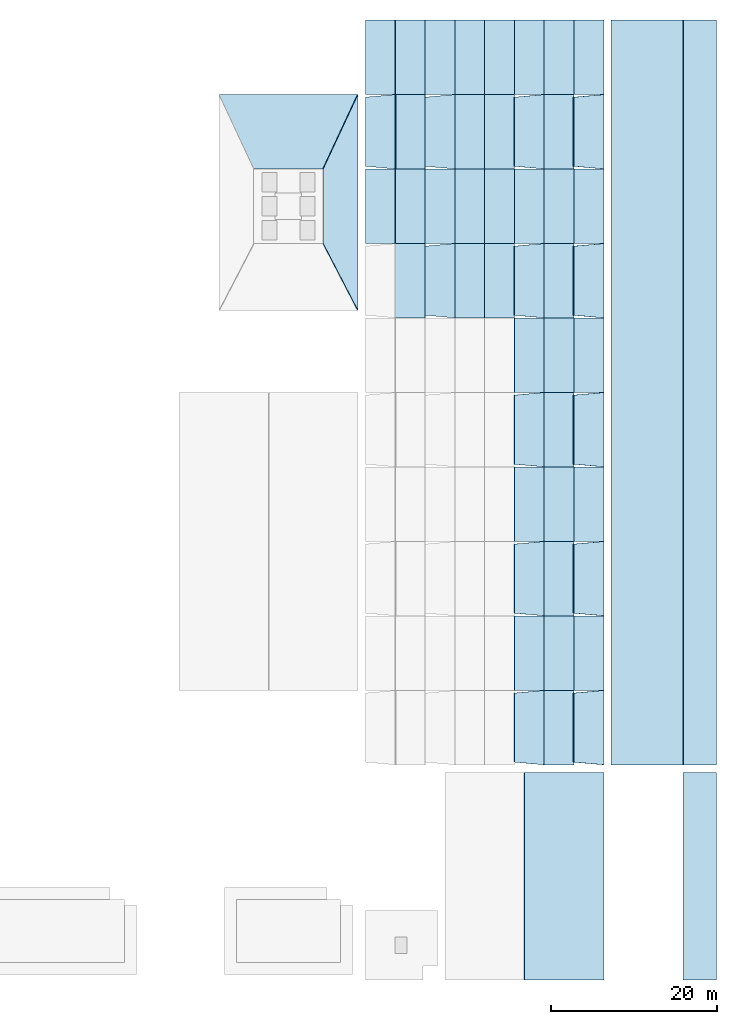
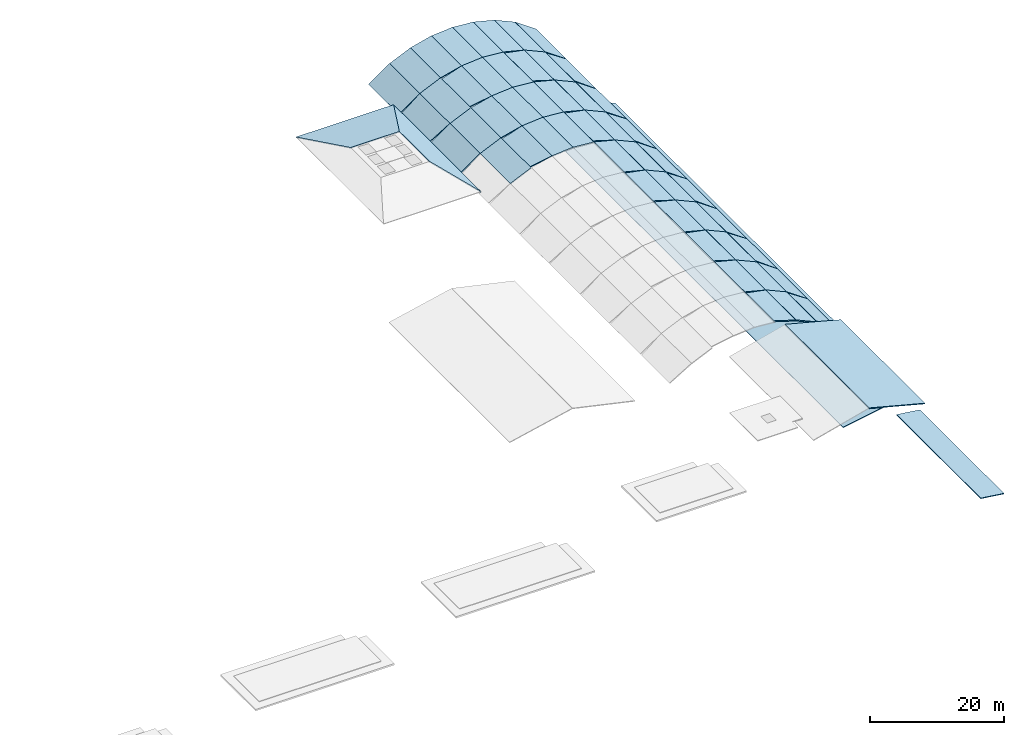
# One storey, part 2 of 3: 55 slabs, 4 elements without a shape of their own.
"""IFC4 building model written with IfcOpenShell, lengths in metres."""

import ifcopenshell
import ifcopenshell.guid

model = None  # the IFC model being written
_history = None  # IfcOwnerHistory: only IFC2X3 demands one
_inside = {}  # id of a spatial element -> (the spatial element, [elements in it])
_under = {}  # id of a project, library or spatial element -> (it, [spatial elements below it])
_declared = {}  # id of a project -> (the project, [libraries it declares])
_typed = {}  # id of a type object -> (the type object, [elements of that type])
_made_of = {}  # id of a material, layer set ... -> (it, [elements and type objects made of it])


def new_model(schema):
    """Start an empty IFC model of exactly this schema.

    Asked for "IFC4X3", IfcOpenShell would pick the latest addendum, in which some entities
    have other attributes; the version numbers below select the first issue.
    IFC2X3 requires an IfcOwnerHistory on every rooted entity: one is made here for all.
    """
    global model, _history
    if schema == "IFC4X3":
        model = ifcopenshell.file(schema_version=(4, 3, 0, 0))
    else:
        model = ifcopenshell.file(schema=schema)
    _inside.clear()
    _under.clear()
    _declared.clear()
    _typed.clear()
    _made_of.clear()
    _history = None
    if model.schema == "IFC2X3":
        org = make("IfcOrganization", Name="unknown")
        user = make(
            "IfcPersonAndOrganization",
            ThePerson=make("IfcPerson", FamilyName="unknown"),
            TheOrganization=org,
        )
        app = make(
            "IfcApplication",
            ApplicationDeveloper=org,
            Version="unknown",
            ApplicationFullName="unknown",
            ApplicationIdentifier="unknown",
        )
        _history = make(
            "IfcOwnerHistory",
            OwningUser=user,
            OwningApplication=app,
            ChangeAction="ADDED",
            CreationDate=0,
        )
    return model


def make(cls, **values):
    """One entity of the class cls with the attributes given. An attribute that is None is left unset."""
    return model.create_entity(
        cls, **{name: value for name, value in values.items() if value is not None}
    )


def rooted(cls, **values):
    """An entity with a GlobalId (a new one), such as an element, a storey or a relation."""
    return make(cls, GlobalId=ifcopenshell.guid.new(), OwnerHistory=_history, **values)


def si_unit(unit_type, name, prefix=None):
    """IfcSIUnit, for example si_unit("LENGTHUNIT", "METRE", prefix="MILLI")."""
    return make("IfcSIUnit", UnitType=unit_type, Prefix=prefix, Name=name)


def assignment(units):
    """IfcUnitAssignment: the units of a project."""
    return None if units is None else make("IfcUnitAssignment", Units=units)


def point(xyz):
    """IfcCartesianPoint."""
    return None if xyz is None else make("IfcCartesianPoint", Coordinates=xyz)


def direction(xyz):
    """IfcDirection."""
    return None if xyz is None else make("IfcDirection", DirectionRatios=xyz)


def frame(location, z_axis=None, x_axis=None):
    """IfcAxis2Placement3D, a coordinate frame: its origin and axes. An axis left out is left unset."""
    return make(
        "IfcAxis2Placement3D",
        Location=point(location),
        Axis=direction(z_axis),
        RefDirection=direction(x_axis),
    )


def origin():
    """The frame at (0, 0, 0) with its axes left unset."""
    return frame((0.0, 0.0, 0.0))


def place(relative_to, where):
    """IfcLocalPlacement: puts the frame where relative to a parent placement (None: the world)."""
    return make(
        "IfcLocalPlacement", PlacementRelTo=relative_to, RelativePlacement=where
    )


def context(
    kind, dimensions, precision=None, world=None, true_north=None, identifier=None
):
    """IfcGeometricRepresentationContext, for example the 3D "Model" context."""
    return make(
        "IfcGeometricRepresentationContext",
        ContextIdentifier=identifier,
        ContextType=kind,
        CoordinateSpaceDimension=dimensions,
        Precision=precision,
        WorldCoordinateSystem=world,
        TrueNorth=true_north,
    )


def subcontext(parent, identifier, kind, view, scale=None):
    """IfcGeometricRepresentationSubContext, for example "Body" below "Model"."""
    return make(
        "IfcGeometricRepresentationSubContext",
        ContextIdentifier=identifier,
        ContextType=kind,
        ParentContext=parent,
        TargetScale=scale,
        TargetView=view,
    )


def project(units=None, contexts=None):
    """IfcProject with its units and contexts."""
    return rooted(
        "IfcProject",
        Name="project",
        RepresentationContexts=contexts,
        UnitsInContext=assignment(units),
    )


def spatial(cls, under=None, at=None, **own):
    """A site, building, storey or space (cls), placed at a placement, below another one or the project."""
    s = rooted(cls, ObjectPlacement=at, **own)
    if under is not None:
        _under.setdefault(under.id(), (under, []))[1].append(s)
    return s


def polyline(points):
    """IfcPolyline through the points."""
    return make("IfcPolyline", Points=[point(p) for p in points])


def outline(outer, holes=None, kind="AREA"):
    """IfcArbitraryClosedProfileDef: a profile drawn as a closed curve; with holes, ...WithVoids."""
    if holes is None:
        return make("IfcArbitraryClosedProfileDef", ProfileType=kind, OuterCurve=outer)
    return make(
        "IfcArbitraryProfileDefWithVoids",
        ProfileType=kind,
        OuterCurve=outer,
        InnerCurves=holes,
    )


def extrude(swept, where, along, depth):
    """IfcExtrudedAreaSolid: the profile swept, set in the frame where, extruded along a direction by depth."""
    return make(
        "IfcExtrudedAreaSolid",
        SweptArea=swept,
        Position=where,
        ExtrudedDirection=direction(along),
        Depth=depth,
    )


def shape(context_of_items, identifier, shape_type, items):
    """IfcShapeRepresentation: the items that make up one representation, for example the "Body"."""
    return make(
        "IfcShapeRepresentation",
        ContextOfItems=context_of_items,
        RepresentationIdentifier=identifier,
        RepresentationType=shape_type,
        Items=items,
    )


def material(Name=None, Category=None):
    """IfcMaterial."""
    return make("IfcMaterial", Name=Name, Category=Category)


def layer(
    of_material, thickness, ventilated=None, Name=None, Category=None, Priority=None
):
    """IfcMaterialLayer: one layer of a wall or slab, of a material (None: an air gap)."""
    return make(
        "IfcMaterialLayer",
        Material=of_material,
        LayerThickness=thickness,
        IsVentilated=ventilated,
        Name=Name,
        Category=Category,
        Priority=Priority,
    )


def layer_set(layers, Name=None):
    """IfcMaterialLayerSet."""
    return make("IfcMaterialLayerSet", MaterialLayers=layers, LayerSetName=Name)


def made_of(thing, what):
    """Note that an element or type object is made of a material, layer set ...; save() writes the relation."""
    if what is not None:
        _made_of.setdefault(what.id(), (what, []))[1].append(thing)
    return thing


def type_object(cls, material=None, **own):
    """A type object (cls), such as IfcWallType, which elements share."""
    return made_of(rooted(cls, **own), material)


def element(
    cls,
    number,
    at=None,
    inside=None,
    cuts=None,
    type_object=None,
    material=None,
    context=None,
    identifier="Body",
    shape_type=None,
    held_by="IfcProductDefinitionShape",
    body=None,
    shapes=None,
    **own,
):
    """One element of the class cls, such as IfcWall. Its Tag is "e" and its number.

    at: its placement. inside: the storey or other place that contains it. cuts: it is an
    opening in that element (IfcRelVoidsElement). A single representation is given by context,
    identifier, shape_type and body (its items); several are given by shapes. held_by: the class
    of the entity that holds the representations. save() writes the other relations.
    """
    e = rooted(cls, Tag="e%d" % number, ObjectPlacement=at, **own)
    if body is not None:
        shapes = [shape(context, identifier, shape_type, body)]
    if shapes is not None:
        e.Representation = make(held_by, Representations=shapes)
    if inside is not None:
        _inside.setdefault(inside.id(), (inside, []))[1].append(e)
    if cuts is not None:
        rooted(
            "IfcRelVoidsElement", RelatingBuildingElement=cuts, RelatedOpeningElement=e
        )
    if type_object is not None:
        _typed.setdefault(type_object.id(), (type_object, []))[1].append(e)
    return made_of(e, material)


def aggregate(whole, parts):
    """IfcRelAggregates: a whole, such as a stair, and the parts it consists of."""
    return rooted("IfcRelAggregates", RelatingObject=whole, RelatedObjects=parts)


def save(model, path):
    """Write the relations noted so far, then the file.

    IfcRelAggregates (storeys below a building ...), IfcRelContainedInSpatialStructure (elements
    in a storey), IfcRelDefinesByType, IfcRelAssociatesMaterial and IfcRelDeclares: one each for
    every whole, place, type object, material and project.
    """
    for whole, parts in _under.values():
        aggregate(whole, parts)
    for where, things in _inside.values():
        rooted(
            "IfcRelContainedInSpatialStructure",
            RelatedElements=things,
            RelatingStructure=where,
        )
    for kind, things in _typed.values():
        rooted("IfcRelDefinesByType", RelatedObjects=things, RelatingType=kind)
    for what, things in _made_of.values():
        rooted("IfcRelAssociatesMaterial", RelatedObjects=things, RelatingMaterial=what)
    for by, libraries in _declared.values():
        rooted("IfcRelDeclares", RelatingContext=by, RelatedDefinitions=libraries)
    model.write(path)


model = new_model("IFC4")

# Units and contexts
model_context = context("Model", 3, precision=1e-05, world=origin(), true_north=direction((0.0, 1.0)))
body_context = subcontext(model_context, "Body", "Model", "MODEL_VIEW")
ifc_project = project(units=[si_unit("LENGTHUNIT", "METRE"), si_unit("AREAUNIT", "SQUARE_METRE"), si_unit("VOLUMEUNIT", "CUBIC_METRE"), si_unit("PLANEANGLEUNIT", "RADIAN"), si_unit("MASSUNIT", "GRAM", prefix="KILO")], contexts=[model_context])

# Site, building, storey
site_placement = place(None, origin())
site = spatial("IfcSite", under=ifc_project, at=site_placement, CompositionType="ELEMENT")
building_placement = place(site_placement, origin())
building = spatial("IfcBuilding", under=site, at=building_placement, Name="Canglan Escarpment Cableway Terminal", CompositionType="ELEMENT")
storey_placement = place(building_placement, frame((0.0, 0.0, 33.60009765625)))
storey = spatial("IfcBuildingStorey", under=building, at=storey_placement, Name="RF", CompositionType="ELEMENT", Elevation=33.60009765625)

# Roof, slabs
ifc_material_1 = material(Name="Standing-seam zinc-titanium roofing", Category="steel")
roof_type_1 = type_object("IfcRoofType", Name="ROOF-GABLE-V3", PredefinedType="GABLE_ROOF", material=ifc_material_1)
roof_1_placement = place(storey_placement, origin())
roof_1 = element("IfcRoof", 1, at=roof_1_placement, inside=storey, type_object=roof_type_1, Name="Classical colonnade passage canopy roof RF-V3", PredefinedType="GABLE_ROOF")
ifc_material_2 = material(Name="Concrete C35", Category="concrete")
ifc_layer_1 = layer(ifc_material_2, 0.1298828125, Name="Concrete C35")
ifc_layer_set_1 = layer_set([ifc_layer_1], Name="Concrete C35")
slab_type_1 = type_object("IfcSlabType", Name="SLB-ROOF-CANOPY-130", PredefinedType="ROOF", material=ifc_layer_set_1)
slab_1_placement = place(storey_placement, frame((167.300048828125, 34.0, -23.72021484375), z_axis=(-0.170288369666, 0.0, 0.985394271932), x_axis=(0.985394271932, 0.0, 0.170288369666)))
slab_1 = element("IfcSlab", 2, at=slab_1_placement, type_object=slab_type_1, Name="Classical colonnade canopy slab W SR-04", PredefinedType="ROOF", context=body_context, shape_type="SweptSolid", body=[
    extrude(outline(polyline([(0.0, 0.0), (8.80858747393264, 0.0), (8.80858747393264, 90.0), (0.0, 90.0), (0.0, 0.0)])), origin(), (0.0, 0.0, -1.0), 0.1298828125),
])
slab_2_placement = place(storey_placement, frame((176.02001953125, 34.0, -22.22021484375), z_axis=(0.352670424326, 0.0, 0.935747600481), x_axis=(0.935747600481, 0.0, -0.352670424326)))
slab_2 = element("IfcSlab", 3, at=slab_2_placement, type_object=slab_type_1, Name="Classical colonnade canopy slab E SR-04", PredefinedType="ROOF", context=body_context, shape_type="SweptSolid", body=[
    extrude(outline(polyline([(0.0, 0.0), (4.253262810082569, 0.0), (4.253262810082569, 90.0), (0.0, 90.0), (0.0, 0.0)])), origin(), (0.0, 0.0, -1.0), 0.1298828125),
])
slab_3_placement = place(storey_placement, frame((176.0, 8.0, -23.920166015625), z_axis=(0.131359128021, 0.0, 0.991334847307), x_axis=(0.991334847307, 0.0, -0.131359128021)))
slab_3 = element("IfcSlab", 4, at=slab_3_placement, type_object=slab_type_1, Name="South arrival portico canopy roof slab SR-04", PredefinedType="ROOF", context=body_context, shape_type="SweptSolid", body=[
    extrude(outline(polyline([(0.0, 0.0), (4.03496357549183, 0.0), (4.03496357549183, 25.10009765625), (0.0, 25.10009765625), (0.0, 0.0)])), origin(), (0.0, 0.0, -1.0), 0.1298828125),
])
aggregate(roof_1, [slab_1, slab_2, slab_3])

# Roof, slab
roof_2_placement = place(storey_placement, origin())
roof_2 = element("IfcRoof", 5, at=roof_2_placement, inside=storey, type_object=roof_type_1, Name="Viewing Restaurant pedimented pavilion roof RF-V3", PredefinedType="GABLE_ROOF")
ifc_layer_2 = layer(ifc_material_2, 0.14990234375, Name="Concrete C35")
ifc_layer_set_2 = layer_set([ifc_layer_2], Name="Concrete C35")
slab_type_2 = type_object("IfcSlabType", Name="SLB-ROOF-GABLE-150", PredefinedType="ROOF", material=ifc_layer_set_2)
slab_4_placement = place(storey_placement, frame((156.820068359375, 8.0, -0.780029296875), z_axis=(0.252508224487, 0.0, 0.967594748108), x_axis=(0.967594748108, 0.0, -0.252508224487)))
slab_4 = element("IfcSlab", 6, at=slab_4_placement, type_object=slab_type_2, Name="Viewing Restaurant pedimented roof wing E SR-03", PredefinedType="ROOF", context=body_context, shape_type="SweptSolid", body=[
    extrude(outline(polyline([(0.0, 0.0), (9.900667612246469, 0.0), (9.900667612246469, 25.10009765625), (0.0, 25.10009765625), (0.0, 0.0)])), origin(), (0.0, 0.0, -1.0), 0.14990234375),
])
aggregate(roof_2, [slab_4])

# Roof, slabs
roof_type_2 = type_object("IfcRoofType", Name="ROOF-HIP-V2", PredefinedType="HIP_ROOF", material=ifc_material_1)
roof_3_placement = place(storey_placement, origin())
roof_3 = element("IfcRoof", 7, at=roof_3_placement, inside=storey, type_object=roof_type_2, Name="Bullwheel Drive House hipped-lantern steel roof RF-V2", PredefinedType="HIP_ROOF")
ifc_layer_3 = layer(ifc_material_2, 0.159912109375, Name="Concrete C35")
ifc_layer_set_3 = layer_set([ifc_layer_3], Name="Concrete C35")
slab_type_3 = type_object("IfcSlabType", Name="SLB-ROOF-HIP-160", PredefinedType="ROOF", material=ifc_layer_set_3)
slab_5_placement = place(storey_placement, frame((132.5, 97.0, -1.3701171875), z_axis=(0.440374196261, 0.0, 0.897814327836), x_axis=(0.449006461289, -0.865961540002, -0.220235803078)))
slab_5 = element("IfcSlab", 8, at=slab_5_placement, type_object=slab_type_3, Name="Bullwheel Drive House hipped roof facet E SR-02", PredefinedType="ROOF", context=body_context, shape_type="SweptSolid", body=[
    extrude(outline(polyline([(0.0, 0.0), (9.353876912628483, -8.881784197001252e-16), (-13.24780384798339, 13.0529354729568), (-7.793653860019045, 4.500995391045213), (0.0, 0.0)])), origin(), (0.0, 0.0, -1.0), 0.159912109375),
])
slab_6_placement = place(storey_placement, frame((124.10009765625, 106.0, -1.3701171875), z_axis=(0.0, 0.223124914409, 0.974789860724), x_axis=(1.0, 0.0, 0.0)))
slab_6 = element("IfcSlab", 9, at=slab_6_placement, type_object=slab_type_3, Name="Bullwheel Drive House hipped roof facet N SR-02", PredefinedType="ROOF", context=body_context, shape_type="SweptSolid", body=[
    extrude(outline(polyline([(0.0, 0.0), (8.39990234375, 0.0), (12.599853515625, 9.232759143922427), (-4.2001953125, 9.232759143922427), (0.0, 0.0)])), origin(), (0.0, 0.0, -1.0), 0.159912109375),
])
aggregate(roof_3, [slab_5, slab_6])

roof_type_3 = type_object("IfcRoofType", Name="ROOF-BARREL-V1", PredefinedType="BARREL_ROOF", material=ifc_material_1)
roof_4_placement = place(storey_placement, origin())
roof_4 = element("IfcRoof", 10, at=roof_4_placement, inside=storey, type_object=roof_type_3, Name="Boarding Hall curved barrel-vault roof RF-V1", PredefinedType="BARREL_ROOF")
ifc_layer_4 = layer(ifc_material_2, 0.179931640625, Name="Concrete C35")
ifc_layer_set_4 = layer_set([ifc_layer_4], Name="Concrete C35")
slab_type_4 = type_object("IfcSlabType", Name="SLB-ROOF-VAULT-180", PredefinedType="ROOF", material=ifc_layer_set_4)
slab_7_placement = place(storey_placement, frame((155.60009765625, 34.320068359375, -0.455810546875), z_axis=(0.246353782743, 0.0, 0.969179969731), x_axis=(0.965601571407, -0.085853079696, -0.24544419733)))
slab_7 = element("IfcSlab", 11, at=slab_7_placement, type_object=slab_type_4, Name="Barrel-vault roof deck facet SR-01", PredefinedType="ROOF", context=body_context, shape_type="SweptSolid", body=[
    extrude(outline(polyline([(0.0, 0.0), (3.7280940941091543, -2.42861286636753e-17), (2.9554163768469413, 8.966770273919503), (-0.7177200085311606, 8.328997062704852), (0.0, 0.0)])), origin(), (0.0, 0.0, -1.0), 0.179931640625),
])
slab_8_placement = place(storey_placement, frame((159.199951171875, 34.0, -1.359130859375), z_axis=(0.410791393388, 0.0, 0.911729362869), x_axis=(0.911729362869, 0.0, -0.410791393388)))
slab_8 = element("IfcSlab", 12, at=slab_8_placement, type_object=slab_type_4, Name="Barrel-vault roof deck facet SR-01", PredefinedType="ROOF", context=body_context, shape_type="SweptSolid", body=[
    extrude(outline(polyline([(0.0, 0.0), (3.9486472662458203, 0.0), (3.9486472662458203, 9.0), (0.0, 9.0), (0.0, 0.0)])), origin(), (0.0, 0.0, -1.0), 0.179931640625),
])
slab_9_placement = place(storey_placement, frame((162.800048828125, 34.320068359375, -2.95849609375), z_axis=(0.575600552563, 0.0, 0.817731009495), x_axis=(0.815578229771, -0.072514280043, -0.574085211719)))
slab_9 = element("IfcSlab", 13, at=slab_9_placement, type_object=slab_type_4, Name="Barrel-vault roof deck facet SR-01", PredefinedType="ROOF", context=body_context, shape_type="SweptSolid", body=[
    extrude(outline(polyline([(0.0, 0.0), (4.413866609260794, -1.3877787807814457e-17), (3.761238088876617, 8.976306368121643), (-0.6062094670951339, 8.337854889790075), (0.0, 0.0)])), origin(), (0.0, 0.0, -1.0), 0.179931640625),
])
slab_10_placement = place(storey_placement, frame((155.60009765625, 43.0, -0.455810546875), z_axis=(0.246353782743, 0.0, 0.969179969731), x_axis=(0.969179969731, 0.0, -0.246353782743)))
slab_10 = element("IfcSlab", 14, at=slab_10_placement, type_object=slab_type_4, Name="Barrel-vault roof deck facet SR-01", PredefinedType="ROOF", context=body_context, shape_type="SweptSolid", body=[
    extrude(outline(polyline([(0.0, 0.0), (3.7143292557147585, 0.0), (3.7143292557147585, 9.000000000000002), (0.0, 9.000000000000002), (0.0, 0.0)])), origin(), (0.0, 0.0, -1.0), 0.179931640625),
])
slab_11_placement = place(storey_placement, frame((159.199951171875, 43.0, -1.359130859375), z_axis=(0.410791393388, 0.0, 0.911729362869), x_axis=(0.911729362869, 0.0, -0.410791393388)))
slab_11 = element("IfcSlab", 15, at=slab_11_placement, type_object=slab_type_4, Name="Barrel-vault roof deck facet SR-01", PredefinedType="ROOF", context=body_context, shape_type="SweptSolid", body=[
    extrude(outline(polyline([(0.0, 0.0), (3.9486472662458203, 0.0), (3.9486472662458203, 9.0), (0.0, 9.0), (0.0, 0.0)])), origin(), (0.0, 0.0, -1.0), 0.179931640625),
])
slab_12_placement = place(storey_placement, frame((162.800048828125, 43.0, -2.95849609375), z_axis=(0.575600552563, 0.0, 0.817731009495), x_axis=(0.817731009495, 0.0, -0.575600552563)))
slab_12 = element("IfcSlab", 16, at=slab_12_placement, type_object=slab_type_4, Name="Barrel-vault roof deck facet SR-01", PredefinedType="ROOF", context=body_context, shape_type="SweptSolid", body=[
    extrude(outline(polyline([(0.0, 0.0), (4.4022465503052395, 0.0), (4.4022465503052395, 9.0), (0.0, 9.0), (0.0, 0.0)])), origin(), (0.0, 0.0, -1.0), 0.179931640625),
])
slab_13_placement = place(storey_placement, frame((155.60009765625, 52.320068359375, -0.455810546875), z_axis=(0.246353782743, 0.0, 0.969179969731), x_axis=(0.965601571407, -0.085853079696, -0.24544419733)))
slab_13 = element("IfcSlab", 17, at=slab_13_placement, type_object=slab_type_4, Name="Barrel-vault roof deck facet SR-01", PredefinedType="ROOF", context=body_context, shape_type="SweptSolid", body=[
    extrude(outline(polyline([(0.0, 0.0), (3.7280940941091543, -2.42861286636753e-17), (2.9554163768469413, 8.966770273919503), (-0.7177200085311606, 8.328997062704852), (0.0, 0.0)])), origin(), (0.0, 0.0, -1.0), 0.179931640625),
])
slab_14_placement = place(storey_placement, frame((159.199951171875, 52.0, -1.359130859375), z_axis=(0.410791393388, 0.0, 0.911729362869), x_axis=(0.911729362869, 0.0, -0.410791393388)))
slab_14 = element("IfcSlab", 18, at=slab_14_placement, type_object=slab_type_4, Name="Barrel-vault roof deck facet SR-01", PredefinedType="ROOF", context=body_context, shape_type="SweptSolid", body=[
    extrude(outline(polyline([(0.0, 0.0), (3.9486472662458203, 0.0), (3.9486472662458203, 9.0), (0.0, 9.0), (0.0, 0.0)])), origin(), (0.0, 0.0, -1.0), 0.179931640625),
])
slab_15_placement = place(storey_placement, frame((162.800048828125, 52.320068359375, -2.95849609375), z_axis=(0.575600552563, 0.0, 0.817731009495), x_axis=(0.815578229771, -0.072514280043, -0.574085211719)))
slab_15 = element("IfcSlab", 19, at=slab_15_placement, type_object=slab_type_4, Name="Barrel-vault roof deck facet SR-01", PredefinedType="ROOF", context=body_context, shape_type="SweptSolid", body=[
    extrude(outline(polyline([(0.0, 0.0), (4.413866609260794, -1.3877787807814457e-17), (3.761238088876617, 8.976306368121643), (-0.6062094670951339, 8.337854889790075), (0.0, 0.0)])), origin(), (0.0, 0.0, -1.0), 0.179931640625),
])
slab_16_placement = place(storey_placement, frame((155.60009765625, 61.0, -0.455810546875), z_axis=(0.246353782743, 0.0, 0.969179969731), x_axis=(0.969179969731, 0.0, -0.246353782743)))
slab_16 = element("IfcSlab", 20, at=slab_16_placement, type_object=slab_type_4, Name="Barrel-vault roof deck facet SR-01", PredefinedType="ROOF", context=body_context, shape_type="SweptSolid", body=[
    extrude(outline(polyline([(0.0, 0.0), (3.7143292557147585, 0.0), (3.7143292557147585, 9.000000000000002), (0.0, 9.000000000000002), (0.0, 0.0)])), origin(), (0.0, 0.0, -1.0), 0.179931640625),
])
slab_17_placement = place(storey_placement, frame((159.199951171875, 61.0, -1.359130859375), z_axis=(0.410791393388, 0.0, 0.911729362869), x_axis=(0.911729362869, 0.0, -0.410791393388)))
slab_17 = element("IfcSlab", 21, at=slab_17_placement, type_object=slab_type_4, Name="Barrel-vault roof deck facet SR-01", PredefinedType="ROOF", context=body_context, shape_type="SweptSolid", body=[
    extrude(outline(polyline([(0.0, 0.0), (3.9486472662458203, 0.0), (3.9486472662458203, 9.0), (0.0, 9.0), (0.0, 0.0)])), origin(), (0.0, 0.0, -1.0), 0.179931640625),
])
slab_18_placement = place(storey_placement, frame((162.800048828125, 61.0, -2.95849609375), z_axis=(0.575600552563, 0.0, 0.817731009495), x_axis=(0.817731009495, 0.0, -0.575600552563)))
slab_18 = element("IfcSlab", 22, at=slab_18_placement, type_object=slab_type_4, Name="Barrel-vault roof deck facet SR-01", PredefinedType="ROOF", context=body_context, shape_type="SweptSolid", body=[
    extrude(outline(polyline([(0.0, 0.0), (4.4022465503052395, 0.0), (4.4022465503052395, 9.0), (0.0, 9.0), (0.0, 0.0)])), origin(), (0.0, 0.0, -1.0), 0.179931640625),
])
slab_19_placement = place(storey_placement, frame((155.60009765625, 70.320068359375, -0.455810546875), z_axis=(0.246353782743, 0.0, 0.969179969731), x_axis=(0.965601571407, -0.085853079696, -0.24544419733)))
slab_19 = element("IfcSlab", 23, at=slab_19_placement, type_object=slab_type_4, Name="Barrel-vault roof deck facet SR-01", PredefinedType="ROOF", context=body_context, shape_type="SweptSolid", body=[
    extrude(outline(polyline([(0.0, 0.0), (3.7280940941091543, -2.42861286636753e-17), (2.9554163768469413, 8.966770273919503), (-0.7177200085311606, 8.328997062704852), (0.0, 0.0)])), origin(), (0.0, 0.0, -1.0), 0.179931640625),
])
slab_20_placement = place(storey_placement, frame((159.199951171875, 70.0, -1.359130859375), z_axis=(0.410791393388, 0.0, 0.911729362869), x_axis=(0.911729362869, 0.0, -0.410791393388)))
slab_20 = element("IfcSlab", 24, at=slab_20_placement, type_object=slab_type_4, Name="Barrel-vault roof deck facet SR-01", PredefinedType="ROOF", context=body_context, shape_type="SweptSolid", body=[
    extrude(outline(polyline([(0.0, 0.0), (3.9486472662458203, 0.0), (3.9486472662458203, 9.0), (0.0, 9.0), (0.0, 0.0)])), origin(), (0.0, 0.0, -1.0), 0.179931640625),
])
slab_21_placement = place(storey_placement, frame((162.800048828125, 70.320068359375, -2.95849609375), z_axis=(0.575600552563, 0.0, 0.817731009495), x_axis=(0.815578229771, -0.072514280043, -0.574085211719)))
slab_21 = element("IfcSlab", 25, at=slab_21_placement, type_object=slab_type_4, Name="Barrel-vault roof deck facet SR-01", PredefinedType="ROOF", context=body_context, shape_type="SweptSolid", body=[
    extrude(outline(polyline([(0.0, 0.0), (4.413866609260794, -1.3877787807814457e-17), (3.761238088876617, 8.976306368121643), (-0.6062094670951339, 8.337854889790075), (0.0, 0.0)])), origin(), (0.0, 0.0, -1.0), 0.179931640625),
])
slab_22_placement = place(storey_placement, frame((155.60009765625, 79.0, -0.455810546875), z_axis=(0.246353782743, 0.0, 0.969179969731), x_axis=(0.969179969731, 0.0, -0.246353782743)))
slab_22 = element("IfcSlab", 26, at=slab_22_placement, type_object=slab_type_4, Name="Barrel-vault roof deck facet SR-01", PredefinedType="ROOF", context=body_context, shape_type="SweptSolid", body=[
    extrude(outline(polyline([(0.0, 0.0), (3.7143292557147585, 0.0), (3.7143292557147585, 9.000000000000002), (0.0, 9.000000000000002), (0.0, 0.0)])), origin(), (0.0, 0.0, -1.0), 0.179931640625),
])
slab_23_placement = place(storey_placement, frame((159.199951171875, 79.0, -1.359130859375), z_axis=(0.410791393388, 0.0, 0.911729362869), x_axis=(0.911729362869, 0.0, -0.410791393388)))
slab_23 = element("IfcSlab", 27, at=slab_23_placement, type_object=slab_type_4, Name="Barrel-vault roof deck facet SR-01", PredefinedType="ROOF", context=body_context, shape_type="SweptSolid", body=[
    extrude(outline(polyline([(0.0, 0.0), (3.9486472662458203, 0.0), (3.9486472662458203, 9.0), (0.0, 9.0), (0.0, 0.0)])), origin(), (0.0, 0.0, -1.0), 0.179931640625),
])
slab_24_placement = place(storey_placement, frame((162.800048828125, 79.0, -2.95849609375), z_axis=(0.575600552563, 0.0, 0.817731009495), x_axis=(0.817731009495, 0.0, -0.575600552563)))
slab_24 = element("IfcSlab", 28, at=slab_24_placement, type_object=slab_type_4, Name="Barrel-vault roof deck facet SR-01", PredefinedType="ROOF", context=body_context, shape_type="SweptSolid", body=[
    extrude(outline(polyline([(0.0, 0.0), (4.4022465503052395, 0.0), (4.4022465503052395, 9.0), (0.0, 9.0), (0.0, 0.0)])), origin(), (0.0, 0.0, -1.0), 0.179931640625),
])
slab_25_placement = place(storey_placement, frame((141.199951171875, 88.0, -2.981201171875), z_axis=(-0.410791393388, 0.0, 0.911729362869), x_axis=(0.911729362869, 0.0, 0.410791393388)))
slab_25 = element("IfcSlab", 29, at=slab_25_placement, type_object=slab_type_4, Name="Barrel-vault roof deck facet SR-01", PredefinedType="ROOF", context=body_context, shape_type="SweptSolid", body=[
    extrude(outline(polyline([(0.0, 0.0), (3.9486472662458203, 0.0), (3.9486472662458203, 9.0), (0.0, 9.0), (0.0, 0.0)])), origin(), (0.0, 0.0, -1.0), 0.179931640625),
])
slab_26_placement = place(storey_placement, frame((144.800048828125, 88.320068359375, -1.370849609375), z_axis=(-0.246353782743, 0.0, 0.969179969731), x_axis=(0.965601571407, -0.085853079696, 0.24544419733)))
slab_26 = element("IfcSlab", 30, at=slab_26_placement, type_object=slab_type_4, Name="Barrel-vault roof deck facet SR-01", PredefinedType="ROOF", context=body_context, shape_type="SweptSolid", body=[
    extrude(outline(polyline([(0.0, 0.0), (3.7280940941091543, -2.42861286636753e-17), (2.9554163768469413, 8.966770273919503), (-0.7177200085311606, 8.328997062704852), (0.0, 0.0)])), origin(), (0.0, 0.0, -1.0), 0.179931640625),
])
slab_27_placement = place(storey_placement, frame((148.39990234375, 88.0, -0.4609375), z_axis=(-0.082049821644, 0.0, 0.996628228964), x_axis=(0.996628228964, 0.0, 0.082049821644)))
slab_27 = element("IfcSlab", 31, at=slab_27_placement, type_object=slab_type_4, Name="Barrel-vault roof deck facet SR-01", PredefinedType="ROOF", context=body_context, shape_type="SweptSolid", body=[
    extrude(outline(polyline([(0.0, 0.0), (3.6122774286574577, 0.0), (3.6122774286574577, 9.0), (0.0, 9.0), (0.0, 0.0)])), origin(), (0.0, 0.0, -1.0), 0.179931640625),
])
slab_28_placement = place(storey_placement, frame((152.0, 88.0, -0.16455078125), z_axis=(0.082049821644, 0.0, 0.996628228964), x_axis=(0.996628228964, 0.0, -0.082049821644)))
slab_28 = element("IfcSlab", 32, at=slab_28_placement, type_object=slab_type_4, Name="Barrel-vault roof deck facet SR-01", PredefinedType="ROOF", context=body_context, shape_type="SweptSolid", body=[
    extrude(outline(polyline([(0.0, 0.0), (3.6122774286574577, 0.0), (3.6122774286574577, 9.0), (0.0, 9.0), (0.0, 0.0)])), origin(), (0.0, 0.0, -1.0), 0.179931640625),
])
slab_29_placement = place(storey_placement, frame((155.60009765625, 88.320068359375, -0.455810546875), z_axis=(0.246353782743, 0.0, 0.969179969731), x_axis=(0.965601571407, -0.085853079696, -0.24544419733)))
slab_29 = element("IfcSlab", 33, at=slab_29_placement, type_object=slab_type_4, Name="Barrel-vault roof deck facet SR-01", PredefinedType="ROOF", context=body_context, shape_type="SweptSolid", body=[
    extrude(outline(polyline([(0.0, 0.0), (3.7280940941091543, -2.42861286636753e-17), (2.9554163768469413, 8.966770273919503), (-0.7177200085311606, 8.328997062704852), (0.0, 0.0)])), origin(), (0.0, 0.0, -1.0), 0.179931640625),
])
slab_30_placement = place(storey_placement, frame((159.199951171875, 88.0, -1.359130859375), z_axis=(0.410791393388, 0.0, 0.911729362869), x_axis=(0.911729362869, 0.0, -0.410791393388)))
slab_30 = element("IfcSlab", 34, at=slab_30_placement, type_object=slab_type_4, Name="Barrel-vault roof deck facet SR-01", PredefinedType="ROOF", context=body_context, shape_type="SweptSolid", body=[
    extrude(outline(polyline([(0.0, 0.0), (3.9486472662458203, 0.0), (3.9486472662458203, 9.0), (0.0, 9.0), (0.0, 0.0)])), origin(), (0.0, 0.0, -1.0), 0.179931640625),
])
slab_31_placement = place(storey_placement, frame((162.800048828125, 88.320068359375, -2.95849609375), z_axis=(0.575600552563, 0.0, 0.817731009495), x_axis=(0.815578229771, -0.072514280043, -0.574085211719)))
slab_31 = element("IfcSlab", 35, at=slab_31_placement, type_object=slab_type_4, Name="Barrel-vault roof deck facet SR-01", PredefinedType="ROOF", context=body_context, shape_type="SweptSolid", body=[
    extrude(outline(polyline([(0.0, 0.0), (4.413866609260794, -1.3877787807814457e-17), (3.761238088876617, 8.976306368121643), (-0.6062094670951339, 8.337854889790075), (0.0, 0.0)])), origin(), (0.0, 0.0, -1.0), 0.179931640625),
])
slab_32_placement = place(storey_placement, frame((137.60009765625, 97.0, -5.492431640625), z_axis=(-0.575600552563, 0.0, 0.817731009495), x_axis=(0.817731009495, 0.0, 0.575600552563)))
slab_32 = element("IfcSlab", 36, at=slab_32_placement, type_object=slab_type_4, Name="Barrel-vault roof deck facet SR-01", PredefinedType="ROOF", context=body_context, shape_type="SweptSolid", body=[
    extrude(outline(polyline([(0.0, 0.0), (4.4022465503052395, 0.0), (4.4022465503052395, 9.0), (0.0, 9.0), (0.0, 0.0)])), origin(), (0.0, 0.0, -1.0), 0.179931640625),
])
slab_33_placement = place(storey_placement, frame((141.199951171875, 97.0, -2.981201171875), z_axis=(-0.410791393388, 0.0, 0.911729362869), x_axis=(0.911729362869, 0.0, 0.410791393388)))
slab_33 = element("IfcSlab", 37, at=slab_33_placement, type_object=slab_type_4, Name="Barrel-vault roof deck facet SR-01", PredefinedType="ROOF", context=body_context, shape_type="SweptSolid", body=[
    extrude(outline(polyline([(0.0, 0.0), (3.9486472662458203, 0.0), (3.9486472662458203, 9.0), (0.0, 9.0), (0.0, 0.0)])), origin(), (0.0, 0.0, -1.0), 0.179931640625),
])
slab_34_placement = place(storey_placement, frame((144.800048828125, 97.0, -1.370849609375), z_axis=(-0.246353782743, 0.0, 0.969179969731), x_axis=(0.969179969731, 0.0, 0.246353782743)))
slab_34 = element("IfcSlab", 38, at=slab_34_placement, type_object=slab_type_4, Name="Barrel-vault roof deck facet SR-01", PredefinedType="ROOF", context=body_context, shape_type="SweptSolid", body=[
    extrude(outline(polyline([(0.0, 0.0), (3.7143292557147585, 0.0), (3.7143292557147585, 9.000000000000002), (0.0, 9.000000000000002), (0.0, 0.0)])), origin(), (0.0, 0.0, -1.0), 0.179931640625),
])
slab_35_placement = place(storey_placement, frame((148.39990234375, 97.0, -0.4609375), z_axis=(-0.082049821644, 0.0, 0.996628228964), x_axis=(0.996628228964, 0.0, 0.082049821644)))
slab_35 = element("IfcSlab", 39, at=slab_35_placement, type_object=slab_type_4, Name="Barrel-vault roof deck facet SR-01", PredefinedType="ROOF", context=body_context, shape_type="SweptSolid", body=[
    extrude(outline(polyline([(0.0, 0.0), (3.6122774286574577, 0.0), (3.6122774286574577, 9.0), (0.0, 9.0), (0.0, 0.0)])), origin(), (0.0, 0.0, -1.0), 0.179931640625),
])
slab_36_placement = place(storey_placement, frame((152.0, 97.0, -0.16455078125), z_axis=(0.082049821644, 0.0, 0.996628228964), x_axis=(0.996628228964, 0.0, -0.082049821644)))
slab_36 = element("IfcSlab", 40, at=slab_36_placement, type_object=slab_type_4, Name="Barrel-vault roof deck facet SR-01", PredefinedType="ROOF", context=body_context, shape_type="SweptSolid", body=[
    extrude(outline(polyline([(0.0, 0.0), (3.6122774286574577, 0.0), (3.6122774286574577, 9.0), (0.0, 9.0), (0.0, 0.0)])), origin(), (0.0, 0.0, -1.0), 0.179931640625),
])
slab_37_placement = place(storey_placement, frame((155.60009765625, 97.0, -0.455810546875), z_axis=(0.246353782743, 0.0, 0.969179969731), x_axis=(0.969179969731, 0.0, -0.246353782743)))
slab_37 = element("IfcSlab", 41, at=slab_37_placement, type_object=slab_type_4, Name="Barrel-vault roof deck facet SR-01", PredefinedType="ROOF", context=body_context, shape_type="SweptSolid", body=[
    extrude(outline(polyline([(0.0, 0.0), (3.7143292557147585, 0.0), (3.7143292557147585, 9.000000000000002), (0.0, 9.000000000000002), (0.0, 0.0)])), origin(), (0.0, 0.0, -1.0), 0.179931640625),
])
slab_38_placement = place(storey_placement, frame((159.199951171875, 97.0, -1.359130859375), z_axis=(0.410791393388, 0.0, 0.911729362869), x_axis=(0.911729362869, 0.0, -0.410791393388)))
slab_38 = element("IfcSlab", 42, at=slab_38_placement, type_object=slab_type_4, Name="Barrel-vault roof deck facet SR-01", PredefinedType="ROOF", context=body_context, shape_type="SweptSolid", body=[
    extrude(outline(polyline([(0.0, 0.0), (3.9486472662458203, 0.0), (3.9486472662458203, 9.0), (0.0, 9.0), (0.0, 0.0)])), origin(), (0.0, 0.0, -1.0), 0.179931640625),
])
slab_39_placement = place(storey_placement, frame((162.800048828125, 97.0, -2.95849609375), z_axis=(0.575600552563, 0.0, 0.817731009495), x_axis=(0.817731009495, 0.0, -0.575600552563)))
slab_39 = element("IfcSlab", 43, at=slab_39_placement, type_object=slab_type_4, Name="Barrel-vault roof deck facet SR-01", PredefinedType="ROOF", context=body_context, shape_type="SweptSolid", body=[
    extrude(outline(polyline([(0.0, 0.0), (4.4022465503052395, 0.0), (4.4022465503052395, 9.0), (0.0, 9.0), (0.0, 0.0)])), origin(), (0.0, 0.0, -1.0), 0.179931640625),
])
slab_40_placement = place(storey_placement, frame((137.60009765625, 106.320068359375, -5.492431640625), z_axis=(-0.575600552563, 0.0, 0.817731009495), x_axis=(0.815578229771, -0.072514280043, 0.574085211719)))
slab_40 = element("IfcSlab", 44, at=slab_40_placement, type_object=slab_type_4, Name="Barrel-vault roof deck facet SR-01", PredefinedType="ROOF", context=body_context, shape_type="SweptSolid", body=[
    extrude(outline(polyline([(0.0, 0.0), (4.413866609260794, -1.3877787807814457e-17), (3.761238088876617, 8.976306368121643), (-0.6062094670951339, 8.337854889790075), (0.0, 0.0)])), origin(), (0.0, 0.0, -1.0), 0.179931640625),
])
slab_41_placement = place(storey_placement, frame((141.199951171875, 106.0, -2.981201171875), z_axis=(-0.410791393388, 0.0, 0.911729362869), x_axis=(0.911729362869, 0.0, 0.410791393388)))
slab_41 = element("IfcSlab", 45, at=slab_41_placement, type_object=slab_type_4, Name="Barrel-vault roof deck facet SR-01", PredefinedType="ROOF", context=body_context, shape_type="SweptSolid", body=[
    extrude(outline(polyline([(0.0, 0.0), (3.9486472662458203, 0.0), (3.9486472662458203, 9.0), (0.0, 9.0), (0.0, 0.0)])), origin(), (0.0, 0.0, -1.0), 0.179931640625),
])
slab_42_placement = place(storey_placement, frame((144.800048828125, 106.320068359375, -1.370849609375), z_axis=(-0.246353782743, 0.0, 0.969179969731), x_axis=(0.965601571407, -0.085853079696, 0.24544419733)))
slab_42 = element("IfcSlab", 46, at=slab_42_placement, type_object=slab_type_4, Name="Barrel-vault roof deck facet SR-01", PredefinedType="ROOF", context=body_context, shape_type="SweptSolid", body=[
    extrude(outline(polyline([(0.0, 0.0), (3.7280940941091543, -2.42861286636753e-17), (2.9554163768469413, 8.966770273919503), (-0.7177200085311606, 8.328997062704852), (0.0, 0.0)])), origin(), (0.0, 0.0, -1.0), 0.179931640625),
])
slab_43_placement = place(storey_placement, frame((148.39990234375, 106.0, -0.4609375), z_axis=(-0.082049821644, 0.0, 0.996628228964), x_axis=(0.996628228964, 0.0, 0.082049821644)))
slab_43 = element("IfcSlab", 47, at=slab_43_placement, type_object=slab_type_4, Name="Barrel-vault roof deck facet SR-01", PredefinedType="ROOF", context=body_context, shape_type="SweptSolid", body=[
    extrude(outline(polyline([(0.0, 0.0), (3.6122774286574577, 0.0), (3.6122774286574577, 9.0), (0.0, 9.0), (0.0, 0.0)])), origin(), (0.0, 0.0, -1.0), 0.179931640625),
])
slab_44_placement = place(storey_placement, frame((152.0, 106.0, -0.16455078125), z_axis=(0.082049821644, 0.0, 0.996628228964), x_axis=(0.996628228964, 0.0, -0.082049821644)))
slab_44 = element("IfcSlab", 48, at=slab_44_placement, type_object=slab_type_4, Name="Barrel-vault roof deck facet SR-01", PredefinedType="ROOF", context=body_context, shape_type="SweptSolid", body=[
    extrude(outline(polyline([(0.0, 0.0), (3.6122774286574577, 0.0), (3.6122774286574577, 9.0), (0.0, 9.0), (0.0, 0.0)])), origin(), (0.0, 0.0, -1.0), 0.179931640625),
])
slab_45_placement = place(storey_placement, frame((155.60009765625, 106.320068359375, -0.455810546875), z_axis=(0.246353782743, 0.0, 0.969179969731), x_axis=(0.965601571407, -0.085853079696, -0.24544419733)))
slab_45 = element("IfcSlab", 49, at=slab_45_placement, type_object=slab_type_4, Name="Barrel-vault roof deck facet SR-01", PredefinedType="ROOF", context=body_context, shape_type="SweptSolid", body=[
    extrude(outline(polyline([(0.0, 0.0), (3.7280940941091543, -2.42861286636753e-17), (2.9554163768469413, 8.966770273919503), (-0.7177200085311606, 8.328997062704852), (0.0, 0.0)])), origin(), (0.0, 0.0, -1.0), 0.179931640625),
])
slab_46_placement = place(storey_placement, frame((159.199951171875, 106.0, -1.359130859375), z_axis=(0.410791393388, 0.0, 0.911729362869), x_axis=(0.911729362869, 0.0, -0.410791393388)))
slab_46 = element("IfcSlab", 50, at=slab_46_placement, type_object=slab_type_4, Name="Barrel-vault roof deck facet SR-01", PredefinedType="ROOF", context=body_context, shape_type="SweptSolid", body=[
    extrude(outline(polyline([(0.0, 0.0), (3.9486472662458203, 0.0), (3.9486472662458203, 9.0), (0.0, 9.0), (0.0, 0.0)])), origin(), (0.0, 0.0, -1.0), 0.179931640625),
])
slab_47_placement = place(storey_placement, frame((162.800048828125, 106.320068359375, -2.95849609375), z_axis=(0.575600552563, 0.0, 0.817731009495), x_axis=(0.815578229771, -0.072514280043, -0.574085211719)))
slab_47 = element("IfcSlab", 51, at=slab_47_placement, type_object=slab_type_4, Name="Barrel-vault roof deck facet SR-01", PredefinedType="ROOF", context=body_context, shape_type="SweptSolid", body=[
    extrude(outline(polyline([(0.0, 0.0), (4.413866609260794, -1.3877787807814457e-17), (3.761238088876617, 8.976306368121643), (-0.6062094670951339, 8.337854889790075), (0.0, 0.0)])), origin(), (0.0, 0.0, -1.0), 0.179931640625),
])
slab_48_placement = place(storey_placement, frame((137.60009765625, 115.0, -5.492431640625), z_axis=(-0.575600552563, 0.0, 0.817731009495), x_axis=(0.817731009495, 0.0, 0.575600552563)))
slab_48 = element("IfcSlab", 52, at=slab_48_placement, type_object=slab_type_4, Name="Barrel-vault roof deck facet SR-01", PredefinedType="ROOF", context=body_context, shape_type="SweptSolid", body=[
    extrude(outline(polyline([(0.0, 0.0), (4.4022465503052395, 0.0), (4.4022465503052395, 9.0), (0.0, 9.0), (0.0, 0.0)])), origin(), (0.0, 0.0, -1.0), 0.179931640625),
])
slab_49_placement = place(storey_placement, frame((141.199951171875, 115.0, -2.981201171875), z_axis=(-0.410791393388, 0.0, 0.911729362869), x_axis=(0.911729362869, 0.0, 0.410791393388)))
slab_49 = element("IfcSlab", 53, at=slab_49_placement, type_object=slab_type_4, Name="Barrel-vault roof deck facet SR-01", PredefinedType="ROOF", context=body_context, shape_type="SweptSolid", body=[
    extrude(outline(polyline([(0.0, 0.0), (3.9486472662458203, 0.0), (3.9486472662458203, 9.0), (0.0, 9.0), (0.0, 0.0)])), origin(), (0.0, 0.0, -1.0), 0.179931640625),
])
slab_50_placement = place(storey_placement, frame((144.800048828125, 115.0, -1.370849609375), z_axis=(-0.246353782743, 0.0, 0.969179969731), x_axis=(0.969179969731, 0.0, 0.246353782743)))
slab_50 = element("IfcSlab", 54, at=slab_50_placement, type_object=slab_type_4, Name="Barrel-vault roof deck facet SR-01", PredefinedType="ROOF", context=body_context, shape_type="SweptSolid", body=[
    extrude(outline(polyline([(0.0, 0.0), (3.7143292557147585, 0.0), (3.7143292557147585, 9.000000000000002), (0.0, 9.000000000000002), (0.0, 0.0)])), origin(), (0.0, 0.0, -1.0), 0.179931640625),
])
slab_51_placement = place(storey_placement, frame((148.39990234375, 115.0, -0.4609375), z_axis=(-0.082049821644, 0.0, 0.996628228964), x_axis=(0.996628228964, 0.0, 0.082049821644)))
slab_51 = element("IfcSlab", 55, at=slab_51_placement, type_object=slab_type_4, Name="Barrel-vault roof deck facet SR-01", PredefinedType="ROOF", context=body_context, shape_type="SweptSolid", body=[
    extrude(outline(polyline([(0.0, 0.0), (3.6122774286574577, 0.0), (3.6122774286574577, 9.0), (0.0, 9.0), (0.0, 0.0)])), origin(), (0.0, 0.0, -1.0), 0.179931640625),
])
slab_52_placement = place(storey_placement, frame((152.0, 115.0, -0.16455078125), z_axis=(0.082049821644, 0.0, 0.996628228964), x_axis=(0.996628228964, 0.0, -0.082049821644)))
slab_52 = element("IfcSlab", 56, at=slab_52_placement, type_object=slab_type_4, Name="Barrel-vault roof deck facet SR-01", PredefinedType="ROOF", context=body_context, shape_type="SweptSolid", body=[
    extrude(outline(polyline([(0.0, 0.0), (3.6122774286574577, 0.0), (3.6122774286574577, 9.0), (0.0, 9.0), (0.0, 0.0)])), origin(), (0.0, 0.0, -1.0), 0.179931640625),
])
slab_53_placement = place(storey_placement, frame((155.60009765625, 115.0, -0.455810546875), z_axis=(0.246353782743, 0.0, 0.969179969731), x_axis=(0.969179969731, 0.0, -0.246353782743)))
slab_53 = element("IfcSlab", 57, at=slab_53_placement, type_object=slab_type_4, Name="Barrel-vault roof deck facet SR-01", PredefinedType="ROOF", context=body_context, shape_type="SweptSolid", body=[
    extrude(outline(polyline([(0.0, 0.0), (3.7143292557147585, 0.0), (3.7143292557147585, 9.000000000000002), (0.0, 9.000000000000002), (0.0, 0.0)])), origin(), (0.0, 0.0, -1.0), 0.179931640625),
])
slab_54_placement = place(storey_placement, frame((159.199951171875, 115.0, -1.359130859375), z_axis=(0.410791393388, 0.0, 0.911729362869), x_axis=(0.911729362869, 0.0, -0.410791393388)))
slab_54 = element("IfcSlab", 58, at=slab_54_placement, type_object=slab_type_4, Name="Barrel-vault roof deck facet SR-01", PredefinedType="ROOF", context=body_context, shape_type="SweptSolid", body=[
    extrude(outline(polyline([(0.0, 0.0), (3.9486472662458203, 0.0), (3.9486472662458203, 9.0), (0.0, 9.0), (0.0, 0.0)])), origin(), (0.0, 0.0, -1.0), 0.179931640625),
])
slab_55_placement = place(storey_placement, frame((162.800048828125, 115.0, -2.95849609375), z_axis=(0.575600552563, 0.0, 0.817731009495), x_axis=(0.817731009495, 0.0, -0.575600552563)))
slab_55 = element("IfcSlab", 59, at=slab_55_placement, type_object=slab_type_4, Name="Barrel-vault roof deck facet SR-01", PredefinedType="ROOF", context=body_context, shape_type="SweptSolid", body=[
    extrude(outline(polyline([(0.0, 0.0), (4.4022465503052395, 0.0), (4.4022465503052395, 9.0), (0.0, 9.0), (0.0, 0.0)])), origin(), (0.0, 0.0, -1.0), 0.179931640625),
])
aggregate(roof_4, [slab_7, slab_8, slab_9, slab_10, slab_11, slab_12, slab_13, slab_14, slab_15, slab_16, slab_17, slab_18, slab_19, slab_20, slab_21, slab_22, slab_23, slab_24, slab_25, slab_26, slab_27, slab_28, slab_29, slab_30, slab_31, slab_32, slab_33, slab_34, slab_35, slab_36, slab_37, slab_38, slab_39, slab_40, slab_41, slab_42, slab_43, slab_44, slab_45, slab_46, slab_47, slab_48, slab_49, slab_50, slab_51, slab_52, slab_53, slab_54, slab_55])

save(model, "model.ifc")
